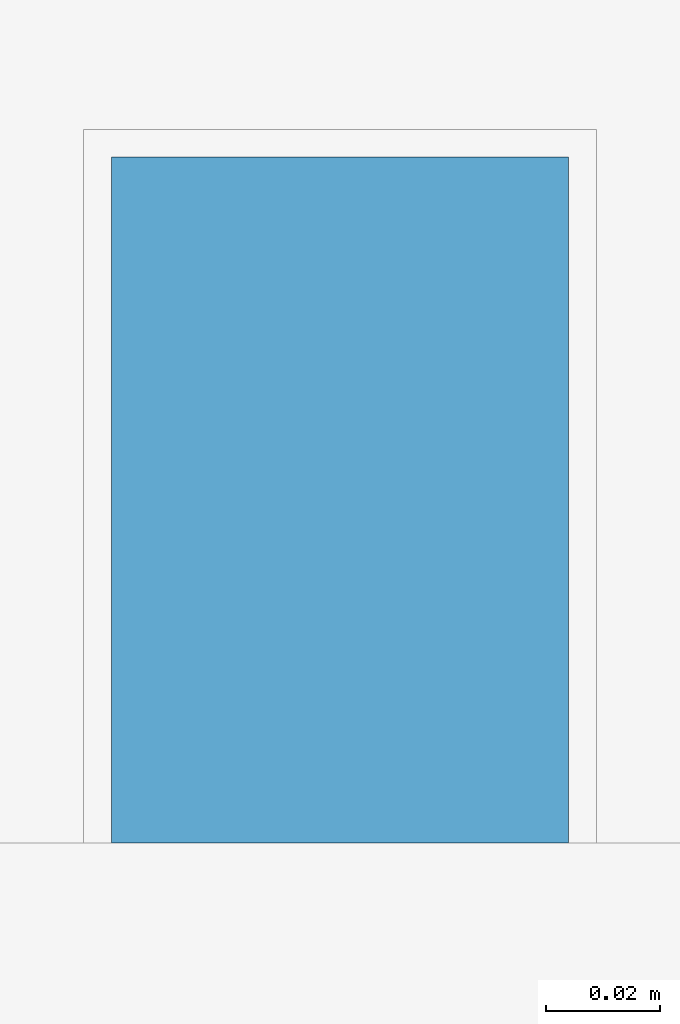
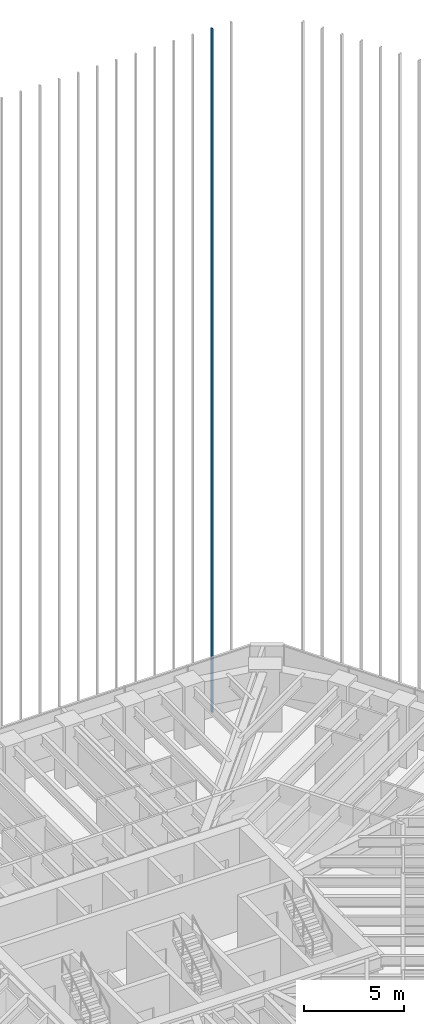
# One storey, part 108 of 127: 1 member, 1 element without a shape of its own.
"""IFC4 building model written with IfcOpenShell, lengths in metres."""

from ifc_helpers import new_model, si_unit, direction, frame, origin, origin_2d, place, context, subcontext, project, spatial, rectangle, extrude, material, material_profile, profile_set, type_object, element, aggregate, save


model = new_model("IFC4")

# Units and contexts
model_context = context("Model", 3, precision=1e-05, world=origin(), true_north=direction((0.0, 1.0)))
body_context = subcontext(model_context, "Body", "Model", "MODEL_VIEW")
ifc_project = project(units=[si_unit("LENGTHUNIT", "METRE"), si_unit("AREAUNIT", "SQUARE_METRE"), si_unit("VOLUMEUNIT", "CUBIC_METRE"), si_unit("PLANEANGLEUNIT", "RADIAN"), si_unit("MASSUNIT", "GRAM", prefix="KILO")], contexts=[model_context])

# Site, building, storey
site_placement = place(None, origin())
site = spatial("IfcSite", under=ifc_project, at=site_placement, CompositionType="ELEMENT")
building_placement = place(site_placement, origin())
building = spatial("IfcBuilding", under=site, at=building_placement, Name="Sandreach Pilgrim Tower", CompositionType="ELEMENT")
storey_placement = place(building_placement, frame((0.0, 0.0, 257.0)))
storey = spatial("IfcBuildingStorey", under=building, at=storey_placement, Name="L64", CompositionType="ELEMENT", Elevation=257.0)

# Curtain wall, member
ifc_material_1 = material(Name="Aluminium framed curtain wall", Category="aluminium")
curtain_wall_type = type_object("IfcCurtainWallType", Name="Suite tower curtain wall", PredefinedType="NOTDEFINED", material=ifc_material_1)
curtain_wall_placement = place(storey_placement, origin())
curtain_wall = element("IfcCurtainWall", 1, at=curtain_wall_placement, inside=storey, type_object=curtain_wall_type, Name="CW-4 L64 N", PredefinedType="NOTDEFINED")
ifc_material_2 = material(Name="Extruded terracotta on aluminium core", Category="masonry")
ifc_material_profile = material_profile(ifc_material_2, rectangle(XDim=0.080078125, YDim=0.1201171875, at=origin_2d()), Name="TBN 80X120")
ifc_profile_set = profile_set([ifc_material_profile], Name="Extruded terracotta on aluminium core")
member_type = type_object("IfcMemberType", Name="Terracotta baguette north", PredefinedType="USERDEFINED", material=ifc_profile_set)
member_placement = place(storey_placement, frame((14.305419921875, 20.1865234375, 0.0), z_axis=(0.0, 0.0, 1.0), x_axis=(1.0, 0.0, 0.0)))
member = element("IfcMember", 2, at=member_placement, type_object=member_type, Name="Baguette Z4 N28", ObjectType="BAGUETTE", PredefinedType="USERDEFINED", context=body_context, shape_type="SweptSolid", body=[
    extrude(rectangle(XDim=0.080078125, YDim=0.1201171875, at=origin_2d()), origin(), (0.0, 0.0, 1.0), 41.639892578125),
])
aggregate(curtain_wall, [member])

save(model, "model.ifc")
